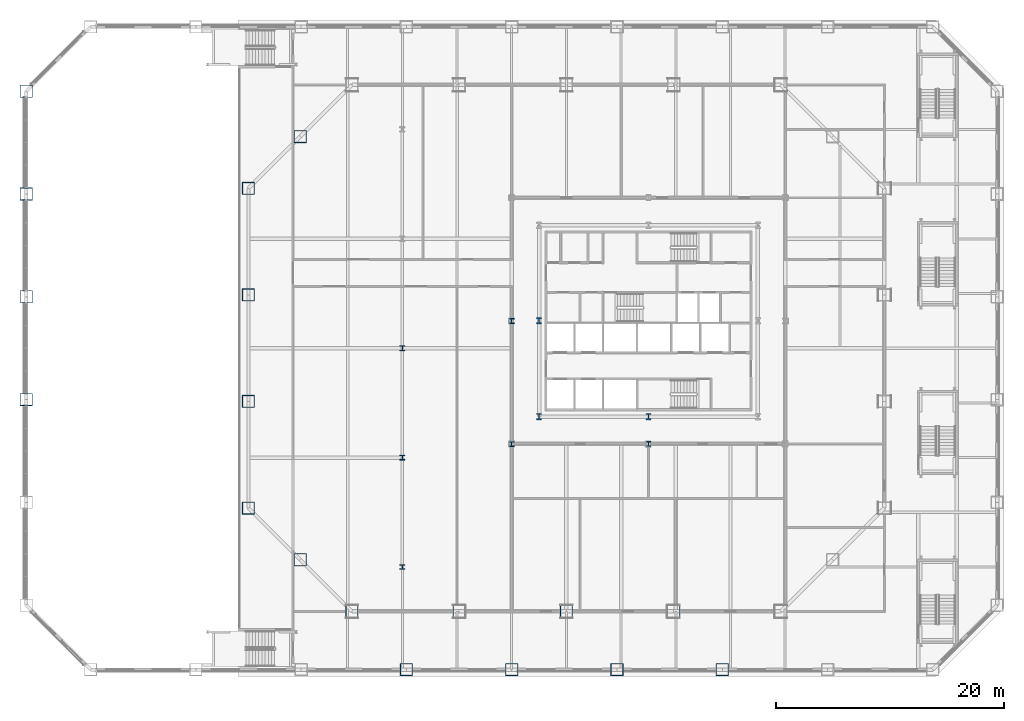
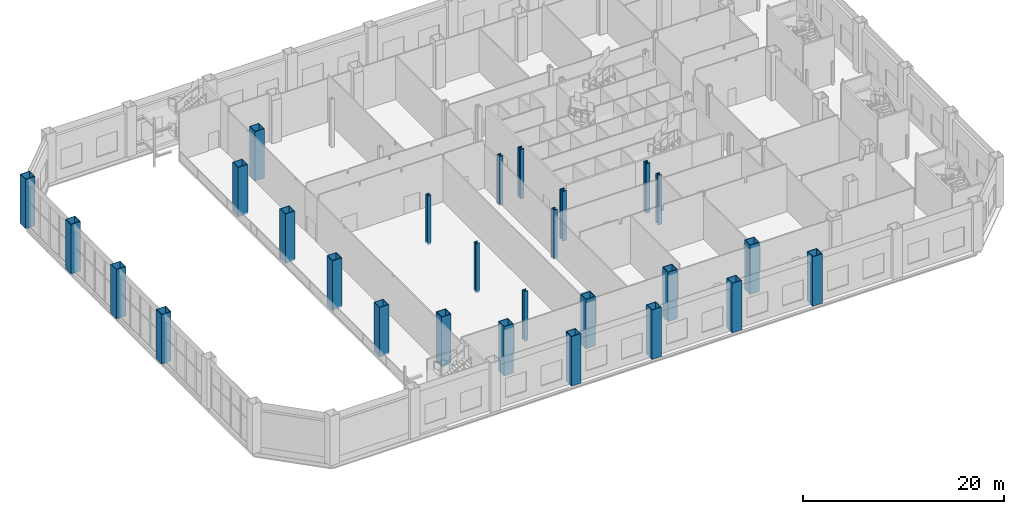
# One storey, part 2 of 31: 27 columns.
"""IFC4 building model written with IfcOpenShell, lengths in metres."""

from ifc_helpers import new_model, si_unit, direction, frame, origin, origin_2d, place, context, subcontext, project, spatial, hollow_rectangle, i_section, extrude, material, material_profile, profile_set, type_object, element, save


model = new_model("IFC4")

# Units and contexts
model_context = context("Model", 3, precision=1e-05, world=origin(), true_north=direction((0.0, 1.0)))
body_context = subcontext(model_context, "Body", "Model", "MODEL_VIEW")
ifc_project = project(units=[si_unit("LENGTHUNIT", "METRE"), si_unit("AREAUNIT", "SQUARE_METRE"), si_unit("VOLUMEUNIT", "CUBIC_METRE"), si_unit("PLANEANGLEUNIT", "RADIAN"), si_unit("MASSUNIT", "GRAM", prefix="KILO")], contexts=[model_context])

# Site, building, storey
site_placement = place(None, origin())
site = spatial("IfcSite", under=ifc_project, at=site_placement, CompositionType="ELEMENT")
building_placement = place(site_placement, origin())
building = spatial("IfcBuilding", under=site, at=building_placement, Name="Cairn Pilgrim Tower", CompositionType="ELEMENT")
storey_placement = place(building_placement, frame((0.0, 0.0, 15.0)))
storey = spatial("IfcBuildingStorey", under=building, at=storey_placement, Name="L02", CompositionType="ELEMENT", Elevation=15.0)

# Columns
ifc_material = material(Name="Structural steel S460M", Category="steel")
ifc_material_profile_1 = material_profile(ifc_material, hollow_rectangle(XDim=1.10009765625, YDim=1.10009765625, WallThickness=0.06005859375, at=origin_2d()), Name="BOX 1100x1100x60")
ifc_profile_set_1 = profile_set([ifc_material_profile_1], Name="Structural steel S460M")
column_type_1 = type_object("IfcColumnType", Name="BOX 1100x1100x60", PredefinedType="COLUMN", material=ifc_profile_set_1)
for number, where, z_axis, x_axis, name in (
    (1, (-18.8271484375, -23.10009765625, -0.199951171875), (0.0, 0.0, 1.0), (1.0, 0.0, 0.0), "PC1-S1"),
    (2, (-9.41357421875, -23.10009765625, -0.199951171875), (0.0, 0.0, 1.0), (1.0, 0.0, 0.0), "PC1-S2"),
    (3, (0.0, -23.10009765625, -0.199951171875), (0.0, 0.0, 1.0), (1.0, 0.0, 0.0), "PC1-S3"),
    (4, (9.41357421875, -23.10009765625, -0.199951171875), (0.0, 0.0, 1.0), (1.0, 0.0, 0.0), "PC1-S4"),
    (5, (-23.363525390625, 18.563720703125, -0.199951171875), (0.0, 0.0, 1.0), (1.0, 0.0, 0.0), "PC1-NW2"),
    (6, (-27.89990234375, 14.027099609375, -0.199951171875), (0.0, 0.0, 1.0), (1.0, 0.0, 0.0), "PC1-W1"),
    (7, (-27.89990234375, 4.67578125, -0.199951171875), (0.0, 0.0, 1.0), (1.0, 0.0, 0.0), "PC1-W2"),
    (8, (-27.89990234375, -4.67578125, -0.199951171875), (0.0, 0.0, 1.0), (1.0, 0.0, 0.0), "PC1-W3"),
    (9, (-27.89990234375, -14.027099609375, -0.199951171875), (0.0, 0.0, 1.0), (1.0, 0.0, 0.0), "PC1-SW1"),
    (10, (-23.363525390625, -18.563720703125, -0.199951171875), (0.0, 0.0, 1.0), (1.0, 0.0, 0.0), "PC1-SW2"),
):
    element("IfcColumn", number, at=place(storey_placement, frame(where, z_axis=z_axis, x_axis=x_axis)), inside=storey, type_object=column_type_1, Name=name, PredefinedType="COLUMN", context=body_context, shape_type="SweptSolid", body=[
        extrude(hollow_rectangle(XDim=1.10009765625, YDim=1.10009765625, WallThickness=0.06005859375, at=origin_2d()), origin(), (0.0, 0.0, 1.0), 6.0),
    ])
ifc_material_profile_2 = material_profile(ifc_material, i_section(OverallWidth=0.4541015625, OverallDepth=0.569091796875, WebThickness=0.077880859375, FlangeThickness=0.125, FilletRadius=0.014892578125, at=origin_2d()), Name="HD 400x1086")
ifc_profile_set_2 = profile_set([ifc_material_profile_2], Name="Structural steel S460M")
column_type_2 = type_object("IfcColumnType", Name="HD 400x1086", PredefinedType="COLUMN", material=ifc_profile_set_2)
for number, where, z_axis, x_axis, name in (
    (11, (-2.39990234375, -6.0, -0.199951171875), (0.0, 0.0, 1.0), (1.0, 0.0, 0.0), "KC-1"),
    (12, (7.199951171875, -6.0, -0.199951171875), (0.0, 0.0, 1.0), (1.0, 0.0, 0.0), "KC-2"),
    (13, (-2.39990234375, 2.39990234375, -0.199951171875), (0.0, 0.0, 1.0), (1.0, 0.0, 0.0), "KC-4"),
):
    element("IfcColumn", number, at=place(storey_placement, frame(where, z_axis=z_axis, x_axis=x_axis)), inside=storey, type_object=column_type_2, Name=name, PredefinedType="COLUMN", context=body_context, shape_type="SweptSolid", body=[
        extrude(i_section(OverallWidth=0.4541015625, OverallDepth=0.569091796875, WebThickness=0.077880859375, FlangeThickness=0.125, FilletRadius=0.014892578125, at=origin_2d()), origin(), (0.0, 0.0, 1.0), 6.0),
    ])
ifc_material_profile_3 = material_profile(ifc_material, i_section(OverallWidth=0.408935546875, OverallDepth=0.425048828125, WebThickness=0.03271484375, FlangeThickness=0.052490234375, FilletRadius=0.014892578125, at=origin_2d()), Name="HD 400x421")
ifc_profile_set_3 = profile_set([ifc_material_profile_3], Name="Structural steel S460M")
column_type_3 = type_object("IfcColumnType", Name="HD 400x421", PredefinedType="COLUMN", material=ifc_profile_set_3)
for number, where, z_axis, x_axis, name in (
    (14, (-14.39990234375, -19.199951171875, -0.199951171875), (0.0, 0.0, 1.0), (1.0, 0.0, 0.0), "WC-WW-4"),
    (15, (-14.39990234375, -9.60009765625, -0.199951171875), (0.0, 0.0, 1.0), (1.0, 0.0, 0.0), "WC-WW-2"),
    (16, (-14.39990234375, 0.0, -0.199951171875), (0.0, 0.0, 1.0), (1.0, 0.0, 0.0), "WC-WW+0"),
):
    element("IfcColumn", number, at=place(storey_placement, frame(where, z_axis=z_axis, x_axis=x_axis)), inside=storey, type_object=column_type_3, Name=name, PredefinedType="COLUMN", context=body_context, shape_type="SweptSolid", body=[
        extrude(i_section(OverallWidth=0.408935546875, OverallDepth=0.425048828125, WebThickness=0.03271484375, FlangeThickness=0.052490234375, FilletRadius=0.014892578125, at=origin_2d()), origin(), (0.0, 0.0, 1.0), 6.0),
    ])
ifc_material_profile_4 = material_profile(ifc_material, i_section(OverallWidth=0.424072265625, OverallDepth=0.47412109375, WebThickness=0.047607421875, FlangeThickness=0.0771484375, FilletRadius=0.014892578125, at=origin_2d()), Name="HD 400x634")
ifc_profile_set_4 = profile_set([ifc_material_profile_4], Name="Structural steel S460M")
column_type_4 = type_object("IfcColumnType", Name="HD 400x634", PredefinedType="COLUMN", material=ifc_profile_set_4)
for number, where, z_axis, x_axis, name in (
    (17, (-4.800048828125, -8.39990234375, -0.199951171875), (0.0, 0.0, 1.0), (1.0, 0.0, 0.0), "IC-1"),
    (18, (7.199951171875, -8.39990234375, -0.199951171875), (0.0, 0.0, 1.0), (1.0, 0.0, 0.0), "IC-2"),
    (19, (-4.800048828125, 2.39990234375, -0.199951171875), (0.0, 0.0, 1.0), (1.0, 0.0, 0.0), "IC-4"),
):
    element("IfcColumn", number, at=place(storey_placement, frame(where, z_axis=z_axis, x_axis=x_axis)), inside=storey, type_object=column_type_4, Name=name, PredefinedType="COLUMN", context=body_context, shape_type="SweptSolid", body=[
        extrude(i_section(OverallWidth=0.424072265625, OverallDepth=0.47412109375, WebThickness=0.047607421875, FlangeThickness=0.0771484375, FilletRadius=0.014892578125, at=origin_2d()), origin(), (0.0, 0.0, 1.0), 6.0),
    ])
ifc_material_profile_5 = material_profile(ifc_material, hollow_rectangle(XDim=1.10009765625, YDim=1.10009765625, WallThickness=0.06005859375, at=origin_2d()), Name="BOX 1100x1100x60")
ifc_profile_set_5 = profile_set([ifc_material_profile_5], Name="Structural steel S460M")
column_type_5 = type_object("IfcColumnType", Name="PILOTIS CFT 1100", PredefinedType="COLUMN", material=ifc_profile_set_5)
for number, where, z_axis, x_axis, name in (
    (20, (-14.037841796875, -28.199951171875, 0.0), (0.0, 0.0, 1.0), (1.0, 0.0, 0.0), "PILOTIS PL-S4"),
    (21, (-4.800048828125, -28.199951171875, 0.0), (0.0, 0.0, 1.0), (1.0, 0.0, 0.0), "PILOTIS PL-S5"),
    (22, (4.43798828125, -28.199951171875, 0.0), (0.0, 0.0, 1.0), (1.0, 0.0, 0.0), "PILOTIS PL-S6"),
    (23, (13.67578125, -28.199951171875, 0.0), (0.0, 0.0, 1.0), (1.0, 0.0, 0.0), "PILOTIS PL-S7"),
    (24, (-47.39990234375, 22.551513671875, 0.0), (0.0, 0.0, 1.0), (1.0, 0.0, 0.0), "PILOTIS PL-W1"),
    (25, (-47.39990234375, 13.531005859375, 0.0), (0.0, 0.0, 1.0), (1.0, 0.0, 0.0), "PILOTIS PL-W2"),
    (26, (-47.39990234375, 4.51025390625, 0.0), (0.0, 0.0, 1.0), (1.0, 0.0, 0.0), "PILOTIS PL-W3"),
    (27, (-47.39990234375, -4.51025390625, 0.0), (0.0, 0.0, 1.0), (1.0, 0.0, 0.0), "PILOTIS PL-W4"),
):
    element("IfcColumn", number, at=place(storey_placement, frame(where, z_axis=z_axis, x_axis=x_axis)), inside=storey, type_object=column_type_5, Name=name, PredefinedType="COLUMN", context=body_context, shape_type="SweptSolid", body=[
        extrude(hollow_rectangle(XDim=1.10009765625, YDim=1.10009765625, WallThickness=0.06005859375, at=origin_2d()), origin(), (0.0, 0.0, 1.0), 6.0),
    ])

save(model, "model.ifc")
